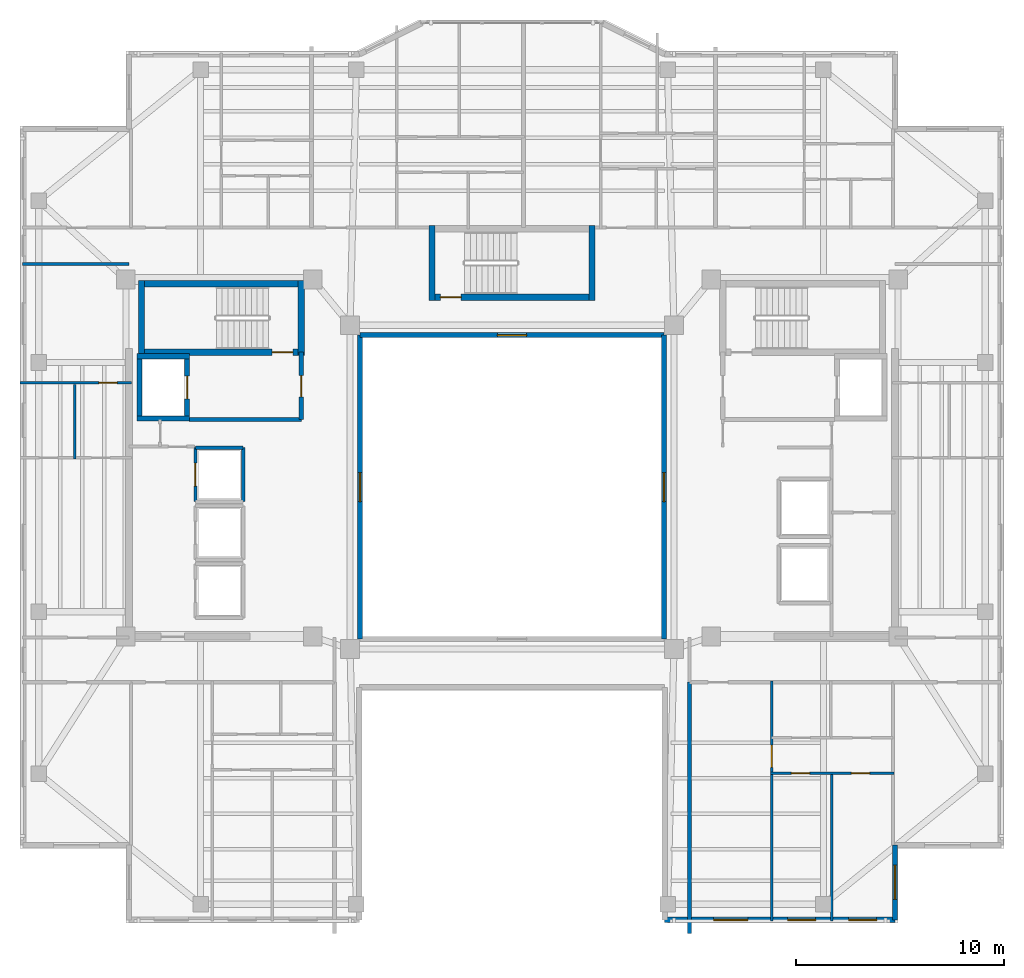
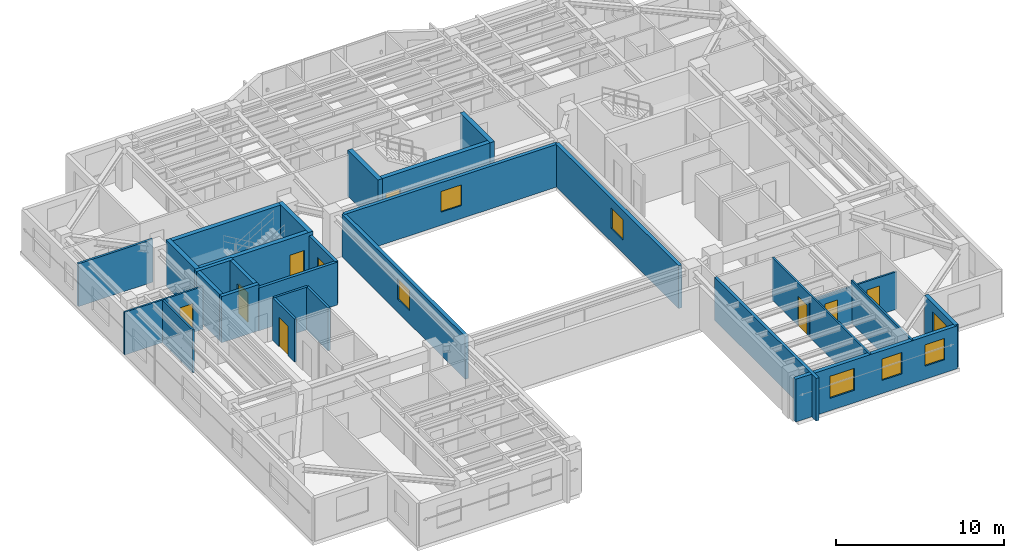
# One storey, part 5 of 12: 28 walls, 9 doors, 7 windows, 16 openings.
"""IFC4 building model written with IfcOpenShell, lengths in metres."""

from ifc_helpers import new_model, si_unit, direction, frame, frame_2d, origin, place, context, subcontext, project, spatial, rectangle, extrude, material, layer, layer_set, type_object, element, fill, save


model = new_model("IFC4")

# Units and contexts
model_context = context("Model", 3, precision=1e-05, world=origin(), true_north=direction((0.0, 1.0)))
body_context = subcontext(model_context, "Body", "Model", "MODEL_VIEW")
ifc_project = project(units=[si_unit("LENGTHUNIT", "METRE"), si_unit("AREAUNIT", "SQUARE_METRE"), si_unit("VOLUMEUNIT", "CUBIC_METRE"), si_unit("PLANEANGLEUNIT", "RADIAN"), si_unit("MASSUNIT", "GRAM", prefix="KILO")], contexts=[model_context])

# Site, building, storey
site_placement = place(None, origin())
site = spatial("IfcSite", under=ifc_project, at=site_placement, CompositionType="ELEMENT")
building_placement = place(site_placement, origin())
building = spatial("IfcBuilding", under=site, at=building_placement, Name="Tarnavaz Court Tower", CompositionType="ELEMENT")
storey_placement = place(building_placement, frame((0.0, 0.0, 220.39990234375)))
storey = spatial("IfcBuildingStorey", under=building, at=storey_placement, Name="L60", CompositionType="ELEMENT", Elevation=220.39990234375)

# Wall
ifc_material_1 = material(Name="Concrete C50/60", Category="concrete")
ifc_layer_1 = layer(ifc_material_1, 0.25)
ifc_layer_set_1 = layer_set([ifc_layer_1], Name="Concrete C50/60")
wall_type_1 = type_object("IfcWallType", Name="WL-CORE-250-C50", PredefinedType="SHEAR", material=ifc_layer_set_1)
wall_1_placement = place(storey_placement, frame((-17.949951171875, 3.175048828125, 0.0), z_axis=(0.0, 0.0, 1.0), x_axis=(0.0, 1.0, 0.0)))
element("IfcWall", 1, at=wall_1_placement, inside=storey, type_object=wall_type_1, Name="L60 Lift FL-W1 Shaft Wall 017", PredefinedType="SHEAR", context=body_context, shape_type="SweptSolid", body=[
    extrude(rectangle(XDim=3.25, YDim=0.25, at=frame_2d((1.625, 0.0))), origin(), (0.0, 0.0, 1.0), 3.35009765625),
])

# Wall, opening, door
wall_2_placement = place(storey_placement, frame((-15.64990234375, 3.175048828125, 0.0), z_axis=(0.0, 0.0, 1.0), x_axis=(0.0, 1.0, 0.0)))
wall_2 = element("IfcWall", 2, at=wall_2_placement, inside=storey, type_object=wall_type_1, Name="L60 Lift FL-W1 Shaft Wall 018", PredefinedType="SHEAR", context=body_context, shape_type="SweptSolid", body=[
    extrude(rectangle(XDim=3.25, YDim=0.25, at=frame_2d((1.625, 0.0))), origin(), (0.0, 0.0, 1.0), 3.35009765625),
])
opening_1_placement = place(wall_2_placement, frame((1.074951171875, 0.0, 0.0)))
opening_1 = element("IfcOpeningElement", 3, at=opening_1_placement, cuts=wall_2, Name="Opening LD1", PredefinedType="OPENING", context=body_context, shape_type="SweptSolid", body=[
    extrude(rectangle(XDim=1.10009765625, YDim=2.14990234375, at=frame_2d((0.550048828125, 1.074951171875))), frame((0.0, 0.135009765625, 0.0), z_axis=(0.0, -1.0, 0.0), x_axis=(1.0, 0.0, 0.0)), (0.0, 0.0, 1.0), 0.27001953125),
])
ifc_material_2 = material(Name="Stainless Steel", Category="steel")
door_type_1 = type_object("IfcDoorType", Name="DR-LD-1100", OperationType="NOTDEFINED", PredefinedType="DOOR", material=ifc_material_2)
door_1_placement = place(opening_1_placement, origin())
door_1 = element("IfcDoor", 4, at=door_1_placement, inside=storey, type_object=door_type_1, Name="L60 Lift Landing Door LD-FL-W1", OperationType="SLIDING_TO_LEFT", OverallHeight=2.14990234375, OverallWidth=1.10009765625, PredefinedType="DOOR", context=body_context, shape_type="SweptSolid", body=[
    extrude(rectangle(XDim=1.10009765625, YDim=2.14990234375, at=frame_2d((0.550048828125, 1.074951171875))), frame((0.0, 0.02490234375, 0.0), z_axis=(0.0, -1.0, 0.0), x_axis=(1.0, 0.0, 0.0)), (0.0, 0.0, 1.0), 0.050048828125),
])
fill(opening_1, door_1)

# Walls
for number, where, z_axis, x_axis, name in (
    (5, (-18.074951171875, 3.300048828125, 0.0), (0.0, 0.0, 1.0), (1.0, 0.0, 0.0), "L60 Lift FL-W1 Shaft Wall 019"),
    (6, (-18.074951171875, 6.300048828125, 0.0), (0.0, 0.0, 1.0), (1.0, 0.0, 0.0), "L60 Lift FL-W1 Shaft Wall 020"),
):
    element("IfcWall", number, at=place(storey_placement, frame(where, z_axis=z_axis, x_axis=x_axis)), inside=storey, type_object=wall_type_1, Name=name, PredefinedType="SHEAR", context=body_context, shape_type="SweptSolid", body=[
        extrude(rectangle(XDim=2.550048828125, YDim=0.25, at=frame_2d((1.27490234375, 0.0))), origin(), (0.0, 0.0, 1.0), 3.35009765625),
    ])
ifc_layer_2 = layer(ifc_material_1, 0.300048828125)
ifc_layer_set_2 = layer_set([ifc_layer_2], Name="Concrete C50/60")
wall_type_2 = type_object("IfcWallType", Name="WL-CORE-300-C50", PredefinedType="SHEAR", material=ifc_layer_set_2)
wall_3_placement = place(storey_placement, frame((-18.0, 9.7900390625, 0.0), z_axis=(0.0, 0.0, 1.0), x_axis=(1.0, 0.0, 0.0)))
element("IfcWall", 7, at=wall_3_placement, inside=storey, type_object=wall_type_2, Name="L60 West Stair Core Wall 001", PredefinedType="SHEAR", context=body_context, shape_type="SweptSolid", body=[
    extrude(rectangle(XDim=8.0, YDim=0.300048828125, at=frame_2d((4.0, 0.0))), origin(), (0.0, 0.0, 1.0), 3.35009765625),
])

# Wall, opening, door
wall_4_placement = place(storey_placement, frame((-18.0, 6.5, 0.0), z_axis=(0.0, 0.0, 1.0), x_axis=(1.0, 0.0, 0.0)))
wall_4 = element("IfcWall", 8, at=wall_4_placement, inside=storey, type_object=wall_type_2, Name="L60 West Stair Core Wall 002", PredefinedType="SHEAR", context=body_context, shape_type="SweptSolid", body=[
    extrude(rectangle(XDim=8.0, YDim=0.300048828125, at=frame_2d((4.0, 0.0))), origin(), (0.0, 0.0, 1.0), 3.35009765625),
])
opening_2_placement = place(wall_4_placement, frame((6.449951171875, 0.0, 0.0)))
opening_2 = element("IfcOpeningElement", 9, at=opening_2_placement, cuts=wall_4, Name="Opening D01", PredefinedType="OPENING", context=body_context, shape_type="SweptSolid", body=[
    extrude(rectangle(XDim=1.0, YDim=2.14990234375, at=frame_2d((0.5, 1.074951171875))), frame((0.0, 0.159912109375, 0.0), z_axis=(0.0, -1.0, 0.0), x_axis=(1.0, 0.0, 0.0)), (0.0, 0.0, 1.0), 0.320068359375),
])
ifc_material_3 = material(Name="Fire-Rated Hardwood Timber Core", Category="wood")
door_type_2 = type_object("IfcDoorType", Name="DR-FD90-1000", OperationType="NOTDEFINED", PredefinedType="DOOR", material=ifc_material_3)
door_2_placement = place(opening_2_placement, origin())
door_2 = element("IfcDoor", 10, at=door_2_placement, inside=storey, type_object=door_type_2, Name="L60 Stair ST-W1 Exit Door", OperationType="SINGLE_SWING_LEFT", OverallHeight=2.14990234375, OverallWidth=1.0, PredefinedType="DOOR", context=body_context, shape_type="SweptSolid", body=[
    extrude(rectangle(XDim=1.0, YDim=2.14990234375, at=frame_2d((0.5, 1.074951171875))), frame((0.0, 0.02490234375, 0.0), z_axis=(0.0, -1.0, 0.0), x_axis=(1.0, 0.0, 0.0)), (0.0, 0.0, 1.0), 0.050048828125),
])
fill(opening_2, door_2)

# Walls
for number, where, z_axis, x_axis, name in (
    (11, (-17.85009765625, 6.35009765625, 0.0), (0.0, 0.0, 1.0), (0.0, 1.0, 0.0), "L60 West Stair Core Wall 003"),
    (12, (-10.14990234375, 6.35009765625, 0.0), (0.0, 0.0, 1.0), (0.0, 1.0, 0.0), "L60 West Stair Core Wall 004"),
):
    element("IfcWall", number, at=place(storey_placement, frame(where, z_axis=z_axis, x_axis=x_axis)), inside=storey, type_object=wall_type_2, Name=name, PredefinedType="SHEAR", context=body_context, shape_type="SweptSolid", body=[
        extrude(rectangle(XDim=3.58984375, YDim=0.300048828125, at=frame_2d((1.794921875, 0.0))), origin(), (0.0, 0.0, 1.0), 3.35009765625),
    ])

# Wall, opening, door
wall_5_placement = place(storey_placement, frame((-4.0, 9.14990234375, 0.0), z_axis=(0.0, 0.0, 1.0), x_axis=(1.0, 0.0, 0.0)))
wall_5 = element("IfcWall", 13, at=wall_5_placement, inside=storey, type_object=wall_type_2, Name="L60 North Stair Core Wall 010", PredefinedType="SHEAR", context=body_context, shape_type="SweptSolid", body=[
    extrude(rectangle(XDim=8.0, YDim=0.300048828125, at=frame_2d((4.0, 0.0))), origin(), (0.0, 0.0, 1.0), 3.35009765625),
])
opening_3_placement = place(wall_5_placement, frame((0.550048828125, 0.0, 0.0)))
opening_3 = element("IfcOpeningElement", 14, at=opening_3_placement, cuts=wall_5, Name="Opening D01", PredefinedType="OPENING", context=body_context, shape_type="SweptSolid", body=[
    extrude(rectangle(XDim=1.0, YDim=2.14990234375, at=frame_2d((0.5, 1.074951171875))), frame((0.0, 0.159912109375, 0.0), z_axis=(0.0, -1.0, 0.0), x_axis=(1.0, 0.0, 0.0)), (0.0, 0.0, 1.0), 0.320068359375),
])
door_3_placement = place(opening_3_placement, origin())
door_3 = element("IfcDoor", 15, at=door_3_placement, inside=storey, type_object=door_type_2, Name="L60 Stair ST-N1 Exit Door", OperationType="SINGLE_SWING_LEFT", OverallHeight=2.14990234375, OverallWidth=1.0, PredefinedType="DOOR", context=body_context, shape_type="SweptSolid", body=[
    extrude(rectangle(XDim=1.0, YDim=2.14990234375, at=frame_2d((0.5, 1.074951171875))), frame((0.0, 0.02490234375, 0.0), z_axis=(0.0, -1.0, 0.0), x_axis=(1.0, 0.0, 0.0)), (0.0, 0.0, 1.0), 0.050048828125),
])
fill(opening_3, door_3)

# Walls
for number, where, z_axis, x_axis, name in (
    (16, (-3.85009765625, 9.0, 0.0), (0.0, 0.0, 1.0), (0.0, 1.0, 0.0), "L60 North Stair Core Wall 011"),
    (17, (3.85009765625, 9.0, 0.0), (0.0, 0.0, 1.0), (0.0, 1.0, 0.0), "L60 North Stair Core Wall 012"),
):
    element("IfcWall", number, at=place(storey_placement, frame(where, z_axis=z_axis, x_axis=x_axis)), inside=storey, type_object=wall_type_2, Name=name, PredefinedType="SHEAR", context=body_context, shape_type="SweptSolid", body=[
        extrude(rectangle(XDim=3.590087890625, YDim=0.300048828125, at=frame_2d((1.794921875, 0.0))), origin(), (0.0, 0.0, 1.0), 3.35009765625),
    ])

# Wall, opening, window
ifc_material_4 = material(Name="Precast Concrete C40/50", Category="concrete")
ifc_layer_3 = layer(ifc_material_4, 0.260009765625)
ifc_layer_set_3 = layer_set([ifc_layer_3], Name="Precast Concrete C40/50")
wall_type_3 = type_object("IfcWallType", Name="WL-EXT-260", PredefinedType="SOLIDWALL", material=ifc_layer_set_3)
wall_6_placement = place(storey_placement, frame((18.449951171875, -17.25, 0.0), z_axis=(0.0, 0.0, 1.0), x_axis=(0.0, -1.0, 0.0)))
wall_6 = element("IfcWall", 18, at=wall_6_placement, inside=storey, type_object=wall_type_3, Name="L60 Exterior Terracotta Facade Wall 14", PredefinedType="SOLIDWALL", context=body_context, shape_type="SweptSolid", body=[
    extrude(rectangle(XDim=3.60009765625, YDim=0.260009765625, at=frame_2d((1.800048828125, 0.0))), origin(), (0.0, 0.0, 1.0), 3.10009765625),
])
opening_4_placement = place(wall_6_placement, frame((0.95751953125, 0.0, 0.89990234375)))
opening_4 = element("IfcOpeningElement", 19, at=opening_4_placement, cuts=wall_6, Name="Opening W02", PredefinedType="OPENING", context=body_context, shape_type="SweptSolid", body=[
    extrude(rectangle(XDim=1.64990234375, YDim=1.60009765625, at=frame_2d((0.824951171875, 0.800048828125))), frame((0.0, 0.139892578125, 0.0), z_axis=(0.0, -1.0, 0.0), x_axis=(1.0, 0.0, 0.0)), (0.0, 0.0, 1.0), 0.280029296875),
])
ifc_material_5 = material(Name="Double-Glazed Solar Low-E Glass", Category="glass")
window_type_1 = type_object("IfcWindowType", Name="WN-APT-1650", PartitioningType="DOUBLE_PANEL_VERTICAL", PredefinedType="WINDOW", material=ifc_material_5)
window_1_placement = place(opening_4_placement, origin())
window_1 = element("IfcWindow", 20, at=window_1_placement, inside=storey, type_object=window_type_1, Name="L60 Flat 06 Bedroom 2 Window", OverallHeight=1.60009765625, OverallWidth=1.64990234375, PartitioningType="SINGLE_PANEL", PredefinedType="WINDOW", context=body_context, shape_type="SweptSolid", body=[
    extrude(rectangle(XDim=1.64990234375, YDim=1.60009765625, at=frame_2d((0.824951171875, 0.800048828125))), frame((0.0, 0.030029296875, 0.0), z_axis=(0.0, -1.0, 0.0), x_axis=(1.0, 0.0, 0.0)), (0.0, 0.0, 1.0), 0.06005859375),
])
fill(opening_4, window_1)

# Wall, openings, windows
wall_7_placement = place(storey_placement, frame((18.449951171875, -20.85009765625, 0.0), z_axis=(0.0, 0.0, 1.0), x_axis=(-1.0, 0.0, 0.0)))
wall_7 = element("IfcWall", 21, at=wall_7_placement, inside=storey, type_object=wall_type_3, Name="L60 Exterior Terracotta Facade Wall 15", PredefinedType="SOLIDWALL", context=body_context, shape_type="SweptSolid", body=[
    extrude(rectangle(XDim=11.099853515625, YDim=0.260009765625, at=frame_2d((5.5498046875, 0.0))), origin(), (0.0, 0.0, 1.0), 3.10009765625),
])
opening_5_placement = place(wall_7_placement, frame((0.882080078125, 0.0, 0.949951171875)))
opening_5 = element("IfcOpeningElement", 22, at=opening_5_placement, cuts=wall_7, Name="Opening W04", PredefinedType="OPENING", context=body_context, shape_type="SweptSolid", body=[
    extrude(rectangle(XDim=1.35009765625, YDim=1.550048828125, at=frame_2d((0.675048828125, 0.77490234375))), frame((0.0, 0.139892578125, 0.0), z_axis=(0.0, -1.0, 0.0), x_axis=(1.0, 0.0, 0.0)), (0.0, 0.0, 1.0), 0.280029296875),
])
opening_6_placement = place(wall_7_placement, frame((3.8203125, 0.0, 0.949951171875)))
opening_6 = element("IfcOpeningElement", 23, at=opening_6_placement, cuts=wall_7, Name="Opening W04", PredefinedType="OPENING", context=body_context, shape_type="SweptSolid", body=[
    extrude(rectangle(XDim=1.35009765625, YDim=1.550048828125, at=frame_2d((0.675048828125, 0.77490234375))), frame((0.0, 0.139892578125, 0.0), z_axis=(0.0, -1.0, 0.0), x_axis=(1.0, 0.0, 0.0)), (0.0, 0.0, 1.0), 0.280029296875),
])
opening_7_placement = place(wall_7_placement, frame((7.085693359375, 0.0, 0.89990234375)))
opening_7 = element("IfcOpeningElement", 24, at=opening_7_placement, cuts=wall_7, Name="Opening W02", PredefinedType="OPENING", context=body_context, shape_type="SweptSolid", body=[
    extrude(rectangle(XDim=1.64990234375, YDim=1.60009765625, at=frame_2d((0.824951171875, 0.800048828125))), frame((0.0, 0.139892578125, 0.0), z_axis=(0.0, -1.0, 0.0), x_axis=(1.0, 0.0, 0.0)), (0.0, 0.0, 1.0), 0.280029296875),
])
window_type_2 = type_object("IfcWindowType", Name="WN-APT-1350", PartitioningType="SINGLE_PANEL", PredefinedType="WINDOW", material=ifc_material_5)
window_2_placement = place(opening_5_placement, origin())
window_2 = element("IfcWindow", 25, at=window_2_placement, inside=storey, type_object=window_type_2, Name="L60 Flat 06 Bedroom 2 Window", OverallHeight=1.550048828125, OverallWidth=1.35009765625, PartitioningType="SINGLE_PANEL", PredefinedType="WINDOW", context=body_context, shape_type="SweptSolid", body=[
    extrude(rectangle(XDim=1.35009765625, YDim=1.550048828125, at=frame_2d((0.675048828125, 0.77490234375))), frame((0.0, 0.030029296875, 0.0), z_axis=(0.0, -1.0, 0.0), x_axis=(1.0, 0.0, 0.0)), (0.0, 0.0, 1.0), 0.06005859375),
])
fill(opening_5, window_2)
window_3_placement = place(opening_6_placement, origin())
window_3 = element("IfcWindow", 26, at=window_3_placement, inside=storey, type_object=window_type_2, Name="L60 Flat 06 Principal Bedroom Window", OverallHeight=1.550048828125, OverallWidth=1.35009765625, PartitioningType="SINGLE_PANEL", PredefinedType="WINDOW", context=body_context, shape_type="SweptSolid", body=[
    extrude(rectangle(XDim=1.35009765625, YDim=1.550048828125, at=frame_2d((0.675048828125, 0.77490234375))), frame((0.0, 0.030029296875, 0.0), z_axis=(0.0, -1.0, 0.0), x_axis=(1.0, 0.0, 0.0)), (0.0, 0.0, 1.0), 0.06005859375),
])
fill(opening_6, window_3)
window_4_placement = place(opening_7_placement, origin())
window_4 = element("IfcWindow", 27, at=window_4_placement, inside=storey, type_object=window_type_1, Name="L60 Flat 06 Living and Dining Room Window", OverallHeight=1.60009765625, OverallWidth=1.64990234375, PartitioningType="SINGLE_PANEL", PredefinedType="WINDOW", context=body_context, shape_type="SweptSolid", body=[
    extrude(rectangle(XDim=1.64990234375, YDim=1.60009765625, at=frame_2d((0.824951171875, 0.800048828125))), frame((0.0, 0.030029296875, 0.0), z_axis=(0.0, -1.0, 0.0), x_axis=(1.0, 0.0, 0.0)), (0.0, 0.0, 1.0), 0.06005859375),
])
fill(opening_7, window_4)

# Walls
ifc_material_6 = material(Name="Gypsum Fire-Board on Acoustic Metal Stud", Category="masonry")
ifc_layer_4 = layer(ifc_material_6, 0.14990234375)
ifc_layer_set_4 = layer_set([ifc_layer_4], Name="Gypsum Fire-Board on Acoustic Metal Stud")
wall_type_4 = type_object("IfcWallType", Name="WL-FIRE-150", PredefinedType="PARTITIONING", material=ifc_layer_set_4)
wall_8_placement = place(storey_placement, frame((-23.580078125, 10.75, 0.0), z_axis=(0.0, 0.0, 1.0), x_axis=(1.0, 0.0, 0.0)))
element("IfcWall", 28, at=wall_8_placement, inside=storey, type_object=wall_type_4, Name="L60 Interior Partition 101", PredefinedType="PARTITIONING", context=body_context, shape_type="SweptSolid", body=[
    extrude(rectangle(XDim=5.130126953125, YDim=0.14990234375, at=frame_2d((2.56494140625, 0.0))), origin(), (0.0, 0.0, 1.0), 3.10009765625),
])
ifc_material_7 = material(Name="Autoclaved Aerated Concrete Blockwork", Category="masonry")
ifc_layer_5 = layer(ifc_material_7, 0.199951171875)
ifc_layer_set_5 = layer_set([ifc_layer_5], Name="Autoclaved Aerated Concrete Blockwork")
wall_type_5 = type_object("IfcWallType", Name="WL-FIRE-200", PredefinedType="SOLIDWALL", material=ifc_layer_set_5)
wall_9_placement = place(storey_placement, frame((-15.550048828125, 3.25, 0.0), z_axis=(0.0, 0.0, 1.0), x_axis=(1.0, 0.0, 0.0)))
element("IfcWall", 29, at=wall_9_placement, inside=storey, type_object=wall_type_5, Name="L60 West Firefighting Lobby Wall 013", PredefinedType="SOLIDWALL", context=body_context, shape_type="SweptSolid", body=[
    extrude(rectangle(XDim=5.400146484375, YDim=0.199951171875, at=frame_2d((2.7001953125, 0.0))), origin(), (0.0, 0.0, 1.0), 3.10009765625),
])

# Wall, opening, door
wall_10_placement = place(storey_placement, frame((-10.14990234375, 3.25, 0.0), z_axis=(0.0, 0.0, 1.0), x_axis=(0.0, 1.0, 0.0)))
wall_10 = element("IfcWall", 30, at=wall_10_placement, inside=storey, type_object=wall_type_5, Name="L60 West Firefighting Lobby Wall 014", PredefinedType="SOLIDWALL", context=body_context, shape_type="SweptSolid", body=[
    extrude(rectangle(XDim=3.25, YDim=0.199951171875, at=frame_2d((1.625, 0.0))), origin(), (0.0, 0.0, 1.0), 3.10009765625),
])
opening_8_placement = place(wall_10_placement, frame((1.10009765625, 0.0, 0.0)))
opening_8 = element("IfcOpeningElement", 31, at=opening_8_placement, cuts=wall_10, Name="Opening D05", PredefinedType="OPENING", context=body_context, shape_type="SweptSolid", body=[
    extrude(rectangle(XDim=1.02001953125, YDim=2.14990234375, at=frame_2d((0.510009765625, 1.074951171875))), frame((0.0, 0.10986328125, 0.0), z_axis=(0.0, -1.0, 0.0), x_axis=(1.0, 0.0, 0.0)), (0.0, 0.0, 1.0), 0.219970703125),
])
door_type_3 = type_object("IfcDoorType", Name="DR-FD60-1000", OperationType="NOTDEFINED", PredefinedType="DOOR", material=ifc_material_3)
door_4_placement = place(opening_8_placement, origin())
door_4 = element("IfcDoor", 32, at=door_4_placement, inside=storey, type_object=door_type_3, Name="L60 West Firefighting Lobby Door", OperationType="SINGLE_SWING_RIGHT", OverallHeight=2.14990234375, OverallWidth=1.02001953125, PredefinedType="DOOR", context=body_context, shape_type="SweptSolid", body=[
    extrude(rectangle(XDim=1.02001953125, YDim=2.14990234375, at=frame_2d((0.510009765625, 1.074951171875))), frame((0.0, 0.02490234375, 0.0), z_axis=(0.0, -1.0, 0.0), x_axis=(1.0, 0.0, 0.0)), (0.0, 0.0, 1.0), 0.050048828125),
])
fill(opening_8, door_4)

# Wall
wall_11_placement = place(storey_placement, frame((8.550048828125, -21.50390625, 0.0), z_axis=(0.0, 0.0, 1.0), x_axis=(0.0, 1.0, 0.0)))
element("IfcWall", 33, at=wall_11_placement, inside=storey, type_object=wall_type_5, Name="L60 Party Wall 099", PredefinedType="SOLIDWALL", context=body_context, shape_type="SweptSolid", body=[
    extrude(rectangle(XDim=12.10400390625, YDim=0.199951171875, at=frame_2d((6.052001953125, 0.0))), origin(), (0.0, 0.0, 1.0), 3.10009765625),
])

# Wall, opening, door
ifc_material_8 = material(Name="Moisture-Resistant Gypsum Board Partition", Category="masonry")
ifc_layer_6 = layer(ifc_material_8, 0.1201171875)
ifc_layer_set_6 = layer_set([ifc_layer_6], Name="Moisture-Resistant Gypsum Board Partition")
wall_type_6 = type_object("IfcWallType", Name="WL-PART-120", PredefinedType="PARTITIONING", material=ifc_layer_set_6)
wall_12_placement = place(storey_placement, frame((12.511962890625, -20.89990234375, 0.0), z_axis=(0.0, 0.0, 1.0), x_axis=(0.0, 1.0, 0.0)))
wall_12 = element("IfcWall", 34, at=wall_12_placement, inside=storey, type_object=wall_type_6, Name="L60 Interior Partition 092", PredefinedType="PARTITIONING", context=body_context, shape_type="SweptSolid", body=[
    extrude(rectangle(XDim=11.559814453125, YDim=0.1201171875, at=frame_2d((5.77978515625, 0.0))), origin(), (0.0, 0.0, 1.0), 3.10009765625),
])
opening_9_placement = place(wall_12_placement, frame((7.39501953125, 0.0, 0.0)))
opening_9 = element("IfcOpeningElement", 35, at=opening_9_placement, cuts=wall_12, Name="Opening D12", PredefinedType="OPENING", context=body_context, shape_type="SweptSolid", body=[
    extrude(rectangle(XDim=1.080078125, YDim=2.14990234375, at=frame_2d((0.5400390625, 1.074951171875))), frame((0.0, 0.070068359375, 0.0), z_axis=(0.0, -1.0, 0.0), x_axis=(1.0, 0.0, 0.0)), (0.0, 0.0, 1.0), 0.14013671875),
])
ifc_material_9 = material(Name="Engineered Oak Timber", Category="wood")
door_type_4 = type_object("IfcDoorType", Name="DR-INT-1100", OperationType="NOTDEFINED", PredefinedType="DOOR", material=ifc_material_9)
door_5_placement = place(opening_9_placement, origin())
door_5 = element("IfcDoor", 36, at=door_5_placement, inside=storey, type_object=door_type_4, Name="L60 Flat 06 Foyer Door", OperationType="SINGLE_SWING_RIGHT", OverallHeight=2.14990234375, OverallWidth=1.080078125, PredefinedType="DOOR", context=body_context, shape_type="SweptSolid", body=[
    extrude(rectangle(XDim=1.080078125, YDim=2.14990234375, at=frame_2d((0.5400390625, 1.074951171875))), frame((0.0, 0.02490234375, 0.0), z_axis=(0.0, -1.0, 0.0), x_axis=(1.0, 0.0, 0.0)), (0.0, 0.0, 1.0), 0.050048828125),
])
fill(opening_9, door_5)

# Wall, openings, doors
wall_13_placement = place(storey_placement, frame((12.451904296875, -13.7900390625, 0.0), z_axis=(0.0, 0.0, 1.0), x_axis=(1.0, 0.0, 0.0)))
wall_13 = element("IfcWall", 37, at=wall_13_placement, inside=storey, type_object=wall_type_6, Name="L60 Interior Partition 095", PredefinedType="PARTITIONING", context=body_context, shape_type="SweptSolid", body=[
    extrude(rectangle(XDim=5.9580078125, YDim=0.1201171875, at=frame_2d((2.97900390625, 0.0))), origin(), (0.0, 0.0, 1.0), 2.72509765625),
])
opening_10_placement = place(wall_13_placement, frame((1.0048828125, 0.0, 0.0)))
opening_10 = element("IfcOpeningElement", 38, at=opening_10_placement, cuts=wall_13, Name="Opening D14", PredefinedType="OPENING", context=body_context, shape_type="SweptSolid", body=[
    extrude(rectangle(XDim=0.8798828125, YDim=2.10009765625, at=frame_2d((0.43994140625, 1.050048828125))), frame((0.0, 0.070068359375, 0.0), z_axis=(0.0, -1.0, 0.0), x_axis=(1.0, 0.0, 0.0)), (0.0, 0.0, 1.0), 0.14013671875),
])
opening_11_placement = place(wall_13_placement, frame((3.89404296875, 0.0, 0.0)))
opening_11 = element("IfcOpeningElement", 39, at=opening_11_placement, cuts=wall_13, Name="Opening D14", PredefinedType="OPENING", context=body_context, shape_type="SweptSolid", body=[
    extrude(rectangle(XDim=0.8798828125, YDim=2.10009765625, at=frame_2d((0.43994140625, 1.050048828125))), frame((0.0, 0.070068359375, 0.0), z_axis=(0.0, -1.0, 0.0), x_axis=(1.0, 0.0, 0.0)), (0.0, 0.0, 1.0), 0.14013671875),
])
door_type_5 = type_object("IfcDoorType", Name="DR-INT-900", OperationType="NOTDEFINED", PredefinedType="DOOR", material=ifc_material_9)
door_6_placement = place(opening_10_placement, origin())
door_6 = element("IfcDoor", 40, at=door_6_placement, inside=storey, type_object=door_type_5, Name="L60 Flat 06 Bedroom 1 Door", OperationType="SINGLE_SWING_LEFT", OverallHeight=2.10009765625, OverallWidth=0.8798828125, PredefinedType="DOOR", context=body_context, shape_type="SweptSolid", body=[
    extrude(rectangle(XDim=0.8798828125, YDim=2.10009765625, at=frame_2d((0.43994140625, 1.050048828125))), frame((0.0, 0.02490234375, 0.0), z_axis=(0.0, -1.0, 0.0), x_axis=(1.0, 0.0, 0.0)), (0.0, 0.0, 1.0), 0.050048828125),
])
fill(opening_10, door_6)
door_7_placement = place(opening_11_placement, origin())
door_7 = element("IfcDoor", 41, at=door_7_placement, inside=storey, type_object=door_type_5, Name="L60 Flat 06 Bedroom 2 Door", OperationType="SINGLE_SWING_RIGHT", OverallHeight=2.10009765625, OverallWidth=0.8798828125, PredefinedType="DOOR", context=body_context, shape_type="SweptSolid", body=[
    extrude(rectangle(XDim=0.8798828125, YDim=2.10009765625, at=frame_2d((0.43994140625, 1.050048828125))), frame((0.0, 0.02490234375, 0.0), z_axis=(0.0, -1.0, 0.0), x_axis=(1.0, 0.0, 0.0)), (0.0, 0.0, 1.0), 0.050048828125),
])
fill(opening_11, door_7)

# Wall
wall_14_placement = place(storey_placement, frame((15.40087890625, -20.89990234375, 0.0), z_axis=(0.0, 0.0, 1.0), x_axis=(0.0, 1.0, 0.0)))
element("IfcWall", 42, at=wall_14_placement, inside=storey, type_object=wall_type_6, Name="L60 Interior Partition 097", PredefinedType="PARTITIONING", context=body_context, shape_type="SweptSolid", body=[
    extrude(rectangle(XDim=7.169921875, YDim=0.1201171875, at=frame_2d((3.5849609375, 0.0))), origin(), (0.0, 0.0, 1.0), 3.10009765625),
])

# Wall, opening, door
wall_15_placement = place(storey_placement, frame((-23.699951171875, 5.02001953125, 0.0), z_axis=(0.0, 0.0, 1.0), x_axis=(1.0, 0.0, 0.0)))
wall_15 = element("IfcWall", 43, at=wall_15_placement, inside=storey, type_object=wall_type_6, Name="L60 Interior Partition 113", PredefinedType="PARTITIONING", context=body_context, shape_type="SweptSolid", body=[
    extrude(rectangle(XDim=5.369873046875, YDim=0.1201171875, at=frame_2d((2.68505859375, 0.0))), origin(), (0.0, 0.0, 1.0), 3.10009765625),
])
opening_12_placement = place(wall_15_placement, frame((3.800048828125, 0.0, 0.0)))
opening_12 = element("IfcOpeningElement", 44, at=opening_12_placement, cuts=wall_15, Name="Opening D14", PredefinedType="OPENING", context=body_context, shape_type="SweptSolid", body=[
    extrude(rectangle(XDim=0.8798828125, YDim=2.10009765625, at=frame_2d((0.43994140625, 1.050048828125))), frame((0.0, 0.070068359375, 0.0), z_axis=(0.0, -1.0, 0.0), x_axis=(1.0, 0.0, 0.0)), (0.0, 0.0, 1.0), 0.14013671875),
])
door_8_placement = place(opening_12_placement, origin())
door_8 = element("IfcDoor", 45, at=door_8_placement, inside=storey, type_object=door_type_5, Name="L60 Flat 07 Study Door", OperationType="SINGLE_SWING_RIGHT", OverallHeight=2.10009765625, OverallWidth=0.8798828125, PredefinedType="DOOR", context=body_context, shape_type="SweptSolid", body=[
    extrude(rectangle(XDim=0.8798828125, YDim=2.10009765625, at=frame_2d((0.43994140625, 1.050048828125))), frame((0.0, 0.02490234375, 0.0), z_axis=(0.0, -1.0, 0.0), x_axis=(1.0, 0.0, 0.0)), (0.0, 0.0, 1.0), 0.050048828125),
])
fill(opening_12, door_8)

# Wall
wall_16_placement = place(storey_placement, frame((-21.06494140625, 1.360107421875, 0.0), z_axis=(0.0, 0.0, 1.0), x_axis=(0.0, 1.0, 0.0)))
element("IfcWall", 46, at=wall_16_placement, inside=storey, type_object=wall_type_6, Name="L60 Interior Partition 114", PredefinedType="PARTITIONING", context=body_context, shape_type="SweptSolid", body=[
    extrude(rectangle(XDim=3.579833984375, YDim=0.1201171875, at=frame_2d((1.7900390625, 0.0))), origin(), (0.0, 0.0, 1.0), 3.10009765625),
])

# Wall, opening, door
ifc_layer_7 = layer(ifc_material_7, 0.159912109375)
ifc_layer_set_7 = layer_set([ifc_layer_7], Name="Autoclaved Aerated Concrete Blockwork")
wall_type_7 = type_object("IfcWallType", Name="WL-SHAFT-150", PredefinedType="SOLIDWALL", material=ifc_layer_set_7)
wall_17_placement = place(storey_placement, frame((-15.25, -0.699951171875, 0.0), z_axis=(0.0, 0.0, 1.0), x_axis=(0.0, 1.0, 0.0)))
wall_17 = element("IfcWall", 47, at=wall_17_placement, inside=storey, type_object=wall_type_7, Name="L60 Lift PL-H3 Shaft Wall 029", PredefinedType="SOLIDWALL", context=body_context, shape_type="SweptSolid", body=[
    extrude(rectangle(XDim=2.599853515625, YDim=0.159912109375, at=frame_2d((1.2998046875, 0.0))), origin(), (0.0, 0.0, 1.0), 3.10009765625),
])
opening_13_placement = place(wall_17_placement, frame((0.75, 0.0, 0.0)))
opening_13 = element("IfcOpeningElement", 48, at=opening_13_placement, cuts=wall_17, Name="Opening LD1", PredefinedType="OPENING", context=body_context, shape_type="SweptSolid", body=[
    extrude(rectangle(XDim=1.10009765625, YDim=2.14990234375, at=frame_2d((0.550048828125, 1.074951171875))), frame((0.0, 0.08984375, 0.0), z_axis=(0.0, -1.0, 0.0), x_axis=(1.0, 0.0, 0.0)), (0.0, 0.0, 1.0), 0.179931640625),
])
door_9_placement = place(opening_13_placement, origin())
door_9 = element("IfcDoor", 49, at=door_9_placement, inside=storey, type_object=door_type_1, Name="L60 Lift Landing Door LD-PL-H3", OperationType="SLIDING_TO_LEFT", OverallHeight=2.14990234375, OverallWidth=1.10009765625, PredefinedType="DOOR", context=body_context, shape_type="SweptSolid", body=[
    extrude(rectangle(XDim=1.10009765625, YDim=2.14990234375, at=frame_2d((0.550048828125, 1.074951171875))), frame((0.0, 0.02490234375, 0.0), z_axis=(0.0, -1.0, 0.0), x_axis=(1.0, 0.0, 0.0)), (0.0, 0.0, 1.0), 0.050048828125),
])
fill(opening_13, door_9)

# Walls
wall_18_placement = place(storey_placement, frame((-12.949951171875, -0.699951171875, 0.0), z_axis=(0.0, 0.0, 1.0), x_axis=(0.0, 1.0, 0.0)))
element("IfcWall", 50, at=wall_18_placement, inside=storey, type_object=wall_type_7, Name="L60 Lift PL-H3 Shaft Wall 030", PredefinedType="SOLIDWALL", context=body_context, shape_type="SweptSolid", body=[
    extrude(rectangle(XDim=2.599853515625, YDim=0.159912109375, at=frame_2d((1.2998046875, 0.0))), origin(), (0.0, 0.0, 1.0), 3.10009765625),
])
wall_19_placement = place(storey_placement, frame((-15.25, 1.89990234375, 0.0), z_axis=(0.0, 0.0, 1.0), x_axis=(1.0, 0.0, 0.0)))
element("IfcWall", 51, at=wall_19_placement, inside=storey, type_object=wall_type_7, Name="L60 Lift PL-H3 Shaft Wall 032", PredefinedType="SOLIDWALL", context=body_context, shape_type="SweptSolid", body=[
    extrude(rectangle(XDim=2.300048828125, YDim=0.159912109375, at=frame_2d((1.14990234375, 0.0))), origin(), (0.0, 0.0, 1.0), 3.10009765625),
])

# Wall, opening, window
ifc_layer_8 = layer(ifc_material_4, 0.239990234375)
ifc_layer_set_8 = layer_set([ifc_layer_8], Name="Precast Concrete C40/50")
wall_type_8 = type_object("IfcWallType", Name="WL-WELL-240", PredefinedType="SOLIDWALL", material=ifc_layer_set_8)
wall_20_placement = place(storey_placement, frame((7.320068359375, -7.320068359375, 0.0), z_axis=(0.0, 0.0, 1.0), x_axis=(0.0, 1.0, 0.0)))
wall_20 = element("IfcWall", 52, at=wall_20_placement, inside=storey, type_object=wall_type_8, Name="L60 Badgir Light-Well Exterior Wall E", PredefinedType="SOLIDWALL", context=body_context, shape_type="SweptSolid", body=[
    extrude(rectangle(XDim=14.64013671875, YDim=0.239990234375, at=frame_2d((7.320068359375, 0.0))), origin(), (0.0, 0.0, 1.0), 3.10009765625),
])
opening_14_placement = place(wall_20_placement, frame((6.6201171875, 0.0, 0.949951171875)))
opening_14 = element("IfcOpeningElement", 53, at=opening_14_placement, cuts=wall_20, Name="Opening W13", PredefinedType="OPENING", context=body_context, shape_type="SweptSolid", body=[
    extrude(rectangle(XDim=1.39990234375, YDim=1.5, at=frame_2d((0.699951171875, 0.75))), frame((0.0, 0.1298828125, 0.0), z_axis=(0.0, -1.0, 0.0), x_axis=(1.0, 0.0, 0.0)), (0.0, 0.0, 1.0), 0.260009765625),
])
window_type_3 = type_object("IfcWindowType", Name="WN-WEL-1400", PartitioningType="SINGLE_PANEL", PredefinedType="WINDOW", material=ifc_material_5)
window_5_placement = place(opening_14_placement, origin())
window_5 = element("IfcWindow", 54, at=window_5_placement, inside=storey, type_object=window_type_3, Name="L60 Courtyard Gallery Window E", OverallHeight=1.5, OverallWidth=1.39990234375, PartitioningType="SINGLE_PANEL", PredefinedType="WINDOW", context=body_context, shape_type="SweptSolid", body=[
    extrude(rectangle(XDim=1.39990234375, YDim=1.5, at=frame_2d((0.699951171875, 0.75))), frame((0.0, 0.030029296875, 0.0), z_axis=(0.0, -1.0, 0.0), x_axis=(1.0, 0.0, 0.0)), (0.0, 0.0, 1.0), 0.06005859375),
])
fill(opening_14, window_5)

wall_21_placement = place(storey_placement, frame((7.320068359375, 7.320068359375, 0.0), z_axis=(0.0, 0.0, 1.0), x_axis=(-1.0, 0.0, 0.0)))
wall_21 = element("IfcWall", 55, at=wall_21_placement, inside=storey, type_object=wall_type_8, Name="L60 Badgir Light-Well Exterior Wall N", PredefinedType="SOLIDWALL", context=body_context, shape_type="SweptSolid", body=[
    extrude(rectangle(XDim=14.64013671875, YDim=0.239990234375, at=frame_2d((7.320068359375, 0.0))), origin(), (0.0, 0.0, 1.0), 3.10009765625),
])
opening_15_placement = place(wall_21_placement, frame((6.6201171875, 0.0, 0.949951171875)))
opening_15 = element("IfcOpeningElement", 56, at=opening_15_placement, cuts=wall_21, Name="Opening W13", PredefinedType="OPENING", context=body_context, shape_type="SweptSolid", body=[
    extrude(rectangle(XDim=1.39990234375, YDim=1.5, at=frame_2d((0.699951171875, 0.75))), frame((0.0, 0.1298828125, 0.0), z_axis=(0.0, -1.0, 0.0), x_axis=(1.0, 0.0, 0.0)), (0.0, 0.0, 1.0), 0.260009765625),
])
window_6_placement = place(opening_15_placement, origin())
window_6 = element("IfcWindow", 57, at=window_6_placement, inside=storey, type_object=window_type_3, Name="L60 Courtyard Gallery Window N", OverallHeight=1.5, OverallWidth=1.39990234375, PartitioningType="SINGLE_PANEL", PredefinedType="WINDOW", context=body_context, shape_type="SweptSolid", body=[
    extrude(rectangle(XDim=1.39990234375, YDim=1.5, at=frame_2d((0.699951171875, 0.75))), frame((0.0, 0.030029296875, 0.0), z_axis=(0.0, -1.0, 0.0), x_axis=(1.0, 0.0, 0.0)), (0.0, 0.0, 1.0), 0.06005859375),
])
fill(opening_15, window_6)

wall_22_placement = place(storey_placement, frame((-7.320068359375, 7.320068359375, 0.0), z_axis=(0.0, 0.0, 1.0), x_axis=(0.0, -1.0, 0.0)))
wall_22 = element("IfcWall", 58, at=wall_22_placement, inside=storey, type_object=wall_type_8, Name="L60 Badgir Light-Well Exterior Wall W", PredefinedType="SOLIDWALL", context=body_context, shape_type="SweptSolid", body=[
    extrude(rectangle(XDim=14.64013671875, YDim=0.239990234375, at=frame_2d((7.320068359375, 0.0))), origin(), (0.0, 0.0, 1.0), 3.10009765625),
])
opening_16_placement = place(wall_22_placement, frame((6.6201171875, 0.0, 0.949951171875)))
opening_16 = element("IfcOpeningElement", 59, at=opening_16_placement, cuts=wall_22, Name="Opening W13", PredefinedType="OPENING", context=body_context, shape_type="SweptSolid", body=[
    extrude(rectangle(XDim=1.39990234375, YDim=1.5, at=frame_2d((0.699951171875, 0.75))), frame((0.0, 0.1298828125, 0.0), z_axis=(0.0, -1.0, 0.0), x_axis=(1.0, 0.0, 0.0)), (0.0, 0.0, 1.0), 0.260009765625),
])
window_7_placement = place(opening_16_placement, origin())
window_7 = element("IfcWindow", 60, at=window_7_placement, inside=storey, type_object=window_type_3, Name="L60 Courtyard Gallery Window W", OverallHeight=1.5, OverallWidth=1.39990234375, PartitioningType="SINGLE_PANEL", PredefinedType="WINDOW", context=body_context, shape_type="SweptSolid", body=[
    extrude(rectangle(XDim=1.39990234375, YDim=1.5, at=frame_2d((0.699951171875, 0.75))), frame((0.0, 0.030029296875, 0.0), z_axis=(0.0, -1.0, 0.0), x_axis=(1.0, 0.0, 0.0)), (0.0, 0.0, 1.0), 0.06005859375),
])
fill(opening_16, window_7)

save(model, "model.ifc")
